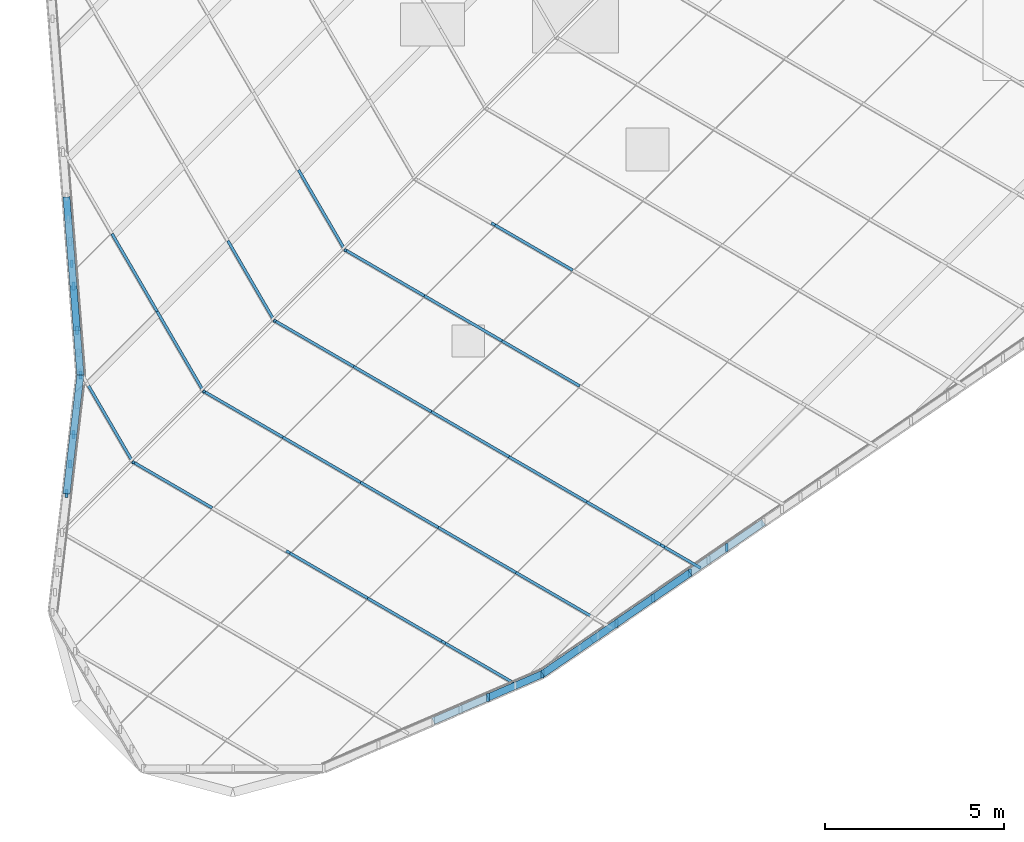
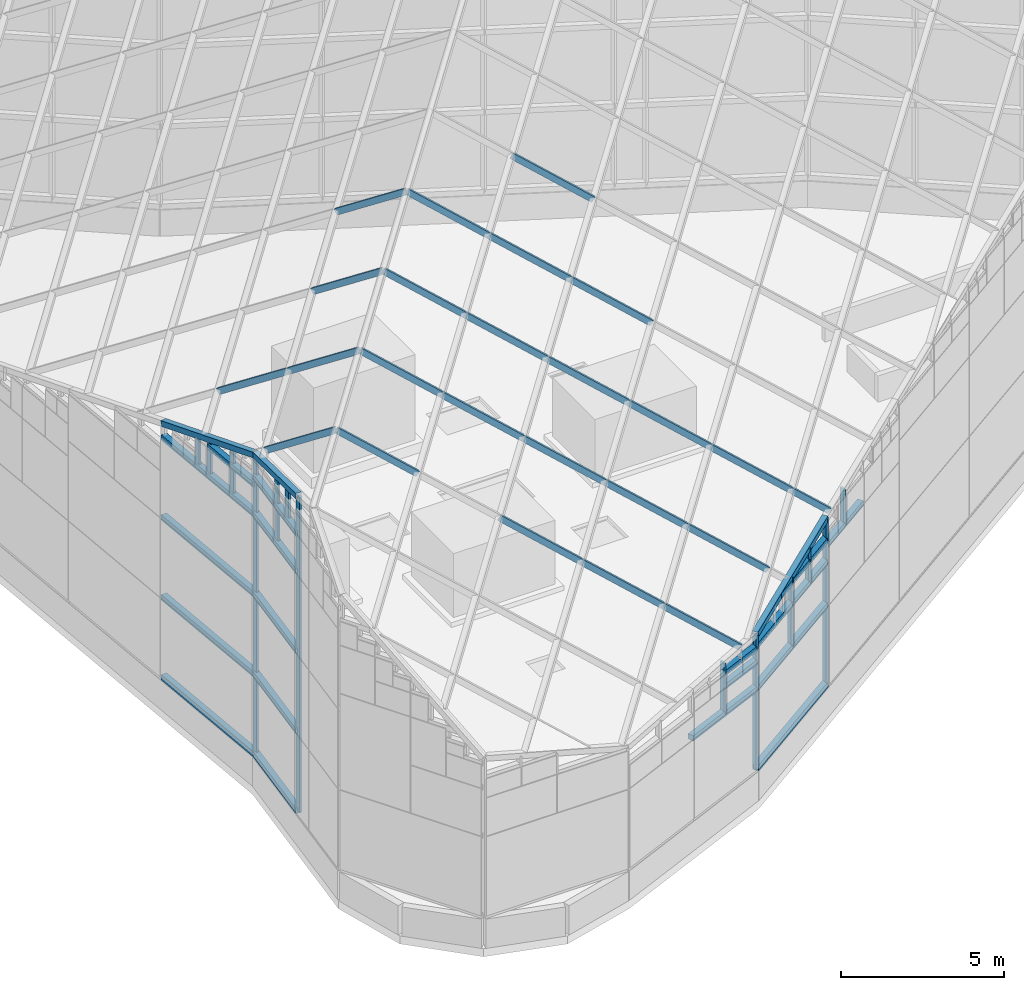
# One storey, part 2 of 29: 64 members, 1 element without a shape of its own.
"""IFC4 building model written with IfcOpenShell, lengths in metres."""

from ifc_helpers import new_model, si_unit, direction, frame, origin, origin_2d, place, context, subcontext, project, spatial, rectangle, extrude, material, material_profile, profile_set, type_object, element, aggregate, save


model = new_model("IFC4")

# Units and contexts
model_context = context("Model", 3, precision=1e-05, world=origin(), true_north=direction((0.0, 1.0)))
body_context = subcontext(model_context, "Body", "Model", "MODEL_VIEW")
ifc_project = project(units=[si_unit("LENGTHUNIT", "METRE"), si_unit("AREAUNIT", "SQUARE_METRE"), si_unit("VOLUMEUNIT", "CUBIC_METRE"), si_unit("PLANEANGLEUNIT", "RADIAN"), si_unit("MASSUNIT", "GRAM", prefix="KILO")], contexts=[model_context])

# Site, building, storey
site_placement = place(None, origin())
site = spatial("IfcSite", under=ifc_project, at=site_placement, CompositionType="ELEMENT")
building_placement = place(site_placement, origin())
building = spatial("IfcBuilding", under=site, at=building_placement, Name="Tanit Gate Tower", CompositionType="ELEMENT")
storey_placement = place(building_placement, frame((0.0, 0.0, 445.300048828125)))
storey = spatial("IfcBuildingStorey", under=building, at=storey_placement, Name="ROOF", CompositionType="ELEMENT", Elevation=445.300048828125)

# Curtain wall, members
ifc_material_1 = material(Name="Aluminium bronze anodised and glass", Category="aluminium")
curtain_wall_type = type_object("IfcCurtainWallType", Name="Curtain wall crown roof", PredefinedType="NOTDEFINED", material=ifc_material_1)
curtain_wall_placement = place(storey_placement, origin())
curtain_wall = element("IfcCurtainWall", 1, at=curtain_wall_placement, inside=storey, type_object=curtain_wall_type, Name="Crown lantern", PredefinedType="NOTDEFINED")
ifc_material_2 = material(Name="Aluminium bronze anodised", Category="aluminium")
ifc_material_profile_1 = material_profile(ifc_material_2, rectangle(XDim=0.080078125, YDim=0.219970703125, at=origin_2d()), Name="80x220 bronze rafter")
ifc_profile_set_1 = profile_set([ifc_material_profile_1], Name="Aluminium bronze anodised")
member_type_1 = type_object("IfcMemberType", Name="Mullion 80x220 crown roof", PredefinedType="MULLION", material=ifc_profile_set_1)
member_1_placement = place(storey_placement, frame((-13.83642578125, -9.955078125, 1.199951171875), z_axis=(0.0, 0.0, 1.0), x_axis=(1.0, 0.0, 0.0)))
member_1 = element("IfcMember", 2, at=member_1_placement, type_object=member_type_1, Name="Lantern mullion 18", PredefinedType="MULLION", context=body_context, shape_type="SweptSolid", body=[
    extrude(rectangle(XDim=0.080078125, YDim=0.219970703125, at=origin_2d()), origin(), (0.0, 0.0, 1.0), 11.2158203125),
])
member_2_placement = place(storey_placement, frame((-14.22412109375, -13.26708984375, 1.199951171875), z_axis=(0.0, 0.0, 1.0), x_axis=(1.0, 0.0, 0.0)))
member_2 = element("IfcMember", 3, at=member_2_placement, type_object=member_type_1, Name="Lantern mullion 19", PredefinedType="MULLION", context=body_context, shape_type="SweptSolid", body=[
    extrude(rectangle(XDim=0.080078125, YDim=0.219970703125, at=origin_2d()), origin(), (0.0, 0.0, 1.0), 11.806640625),
])
member_3_placement = place(storey_placement, frame((-0.922119140625, -18.3037109375, 1.199951171875), z_axis=(0.0, 0.0, 1.0), x_axis=(1.0, 0.0, 0.0)))
member_3 = element("IfcMember", 4, at=member_3_placement, type_object=member_type_1, Name="Lantern mullion 25", PredefinedType="MULLION", context=body_context, shape_type="SweptSolid", body=[
    extrude(rectangle(XDim=0.080078125, YDim=0.219970703125, at=origin_2d()), origin(), (0.0, 0.0, 1.0), 5.021728515625),
])
member_4_placement = place(storey_placement, frame((3.193359375, -15.47900390625, 1.199951171875), z_axis=(0.0, 0.0, 1.0), x_axis=(1.0, 0.0, 0.0)))
member_4 = element("IfcMember", 5, at=member_4_placement, type_object=member_type_1, Name="Lantern mullion 26", PredefinedType="MULLION", context=body_context, shape_type="SweptSolid", body=[
    extrude(rectangle(XDim=0.080078125, YDim=0.219970703125, at=origin_2d()), origin(), (0.0, 0.0, 1.0), 6.23046875),
])
member_5_placement = place(storey_placement, frame((-14.030517578125, -7.467041015625, 10.199951171875), z_axis=(0.0, 0.0, 1.0), x_axis=(1.0, 0.0, 0.0)))
member_5 = element("IfcMember", 6, at=member_5_placement, type_object=member_type_1, Name="Lantern clerestory bar 17.4.1", PredefinedType="MULLION", context=body_context, shape_type="SweptSolid", body=[
    extrude(rectangle(XDim=0.080078125, YDim=0.219970703125, at=origin_2d()), origin(), (0.0, 0.0, 1.0), 1.369140625),
])
member_6_placement = place(storey_placement, frame((-14.0791015625, -6.844970703125, 10.199951171875), z_axis=(0.0, 0.0, 1.0), x_axis=(1.0, 0.0, 0.0)))
member_6 = element("IfcMember", 7, at=member_6_placement, type_object=member_type_1, Name="Lantern clerestory bar 17.4.7", PredefinedType="MULLION", context=body_context, shape_type="SweptSolid", body=[
    extrude(rectangle(XDim=0.080078125, YDim=0.219970703125, at=origin_2d()), origin(), (0.0, 0.0, 1.0), 1.10791015625),
])
member_7_placement = place(storey_placement, frame((-13.93359375, -8.7109375, 10.199951171875), z_axis=(0.0, 0.0, 1.0), x_axis=(1.0, 0.0, 0.0)))
member_7 = element("IfcMember", 8, at=member_7_placement, type_object=member_type_1, Name="Lantern clerestory bar 17.4.9", PredefinedType="MULLION", context=body_context, shape_type="SweptSolid", body=[
    extrude(rectangle(XDim=0.080078125, YDim=0.219970703125, at=origin_2d()), origin(), (0.0, 0.0, 1.0), 1.79248046875),
])
member_8_placement = place(storey_placement, frame((-14.0302734375, -11.611083984375, 10.199951171875), z_axis=(0.0, 0.0, 1.0), x_axis=(1.0, 0.0, 0.0)))
member_8 = element("IfcMember", 9, at=member_8_placement, type_object=member_type_1, Name="Lantern clerestory bar 18.4.1", PredefinedType="MULLION", context=body_context, shape_type="SweptSolid", body=[
    extrude(rectangle(XDim=0.080078125, YDim=0.219970703125, at=origin_2d()), origin(), (0.0, 0.0, 1.0), 2.51123046875),
])
member_9_placement = place(storey_placement, frame((-14.127197265625, -12.439208984375, 11.603271484375), z_axis=(0.0, 0.0, 1.0), x_axis=(1.0, 0.0, 0.0)))
member_9 = element("IfcMember", 10, at=member_9_placement, type_object=member_type_1, Name="Lantern clerestory bar 18.4.7", PredefinedType="MULLION", context=body_context, shape_type="SweptSolid", body=[
    extrude(rectangle(XDim=0.080078125, YDim=0.219970703125, at=origin_2d()), origin(), (0.0, 0.0, 1.0), 1.255615234375),
])
member_10_placement = place(storey_placement, frame((-2.451171875, -18.962890625, 4.199951171875), z_axis=(0.0, 0.0, 1.0), x_axis=(1.0, 0.0, 0.0)))
member_10 = element("IfcMember", 11, at=member_10_placement, type_object=member_type_1, Name="Lantern clerestory bar 24.2.1", PredefinedType="MULLION", context=body_context, shape_type="SweptSolid", body=[
    extrude(rectangle(XDim=0.080078125, YDim=0.219970703125, at=origin_2d()), origin(), (0.0, 0.0, 1.0), 1.896240234375),
])
member_11_placement = place(storey_placement, frame((1.135498046875, -16.891357421875, 4.199951171875), z_axis=(0.0, 0.0, 1.0), x_axis=(1.0, 0.0, 0.0)))
member_11 = element("IfcMember", 12, at=member_11_placement, type_object=member_type_1, Name="Lantern clerestory bar 25.2.1", PredefinedType="MULLION", context=body_context, shape_type="SweptSolid", body=[
    extrude(rectangle(XDim=0.080078125, YDim=0.219970703125, at=origin_2d()), origin(), (0.0, 0.0, 1.0), 2.626220703125),
])
member_12_placement = place(storey_placement, frame((2.16455078125, -16.185302734375, 5.815185546875), z_axis=(0.0, 0.0, 1.0), x_axis=(1.0, 0.0, 0.0)))
member_12 = element("IfcMember", 13, at=member_12_placement, type_object=member_type_1, Name="Lantern clerestory bar 25.2.7", PredefinedType="MULLION", context=body_context, shape_type="SweptSolid", body=[
    extrude(rectangle(XDim=0.080078125, YDim=0.219970703125, at=origin_2d()), origin(), (0.0, 0.0, 1.0), 1.31298828125),
])
member_13_placement = place(storey_placement, frame((4.22216796875, -14.77294921875, 6.419677734375), z_axis=(0.0, 0.0, 1.0), x_axis=(1.0, 0.0, 0.0)))
member_13 = element("IfcMember", 14, at=member_13_placement, type_object=member_type_1, Name="Lantern clerestory bar 26.2.3", PredefinedType="MULLION", context=body_context, shape_type="SweptSolid", body=[
    extrude(rectangle(XDim=0.080078125, YDim=0.219970703125, at=origin_2d()), origin(), (0.0, 0.0, 1.0), 1.31298828125),
])
member_14_placement = place(storey_placement, frame((-12.3759765625, -12.3759765625, 14.2939453125), z_axis=(-0.420098879156, 0.723494582662, -0.547788755444), x_axis=(-0.864786221347, -0.502140210865, 0.0)))
member_14 = element("IfcMember", 15, at=member_14_placement, type_object=member_type_1, Name="Lantern rafter E2", PredefinedType="MULLION", context=body_context, shape_type="SweptSolid", body=[
    extrude(rectangle(XDim=0.080078125, YDim=0.219970703125, at=origin_2d()), origin(), (0.0, 0.0, 1.0), 3.0),
])
member_15_placement = place(storey_placement, frame((-10.400634765625, -10.400634765625, 15.387939453125), z_axis=(-0.420165895971, 0.723469846055, -0.547770026299), x_axis=(-0.864743978712, -0.502212954116, 0.0)))
member_15 = element("IfcMember", 16, at=member_15_placement, type_object=member_type_1, Name="Lantern rafter E3", PredefinedType="MULLION", context=body_context, shape_type="SweptSolid", body=[
    extrude(rectangle(XDim=0.080078125, YDim=0.219970703125, at=origin_2d()), origin(), (0.0, 0.0, 1.0), 3.0),
])
member_16_placement = place(storey_placement, frame((-11.6611328125, -8.230224609375, 13.74462890625), z_axis=(-0.420098879156, 0.723494582662, -0.547788755444), x_axis=(-0.864786221347, -0.502140210865, 0.0)))
member_16 = element("IfcMember", 17, at=member_16_placement, type_object=member_type_1, Name="Lantern rafter E3", PredefinedType="MULLION", context=body_context, shape_type="SweptSolid", body=[
    extrude(rectangle(XDim=0.080078125, YDim=0.219970703125, at=origin_2d()), origin(), (0.0, 0.0, 1.0), 3.0),
])
member_17_placement = place(storey_placement, frame((-8.425537109375, -8.425537109375, 16.48193359375), z_axis=(-0.420074144471, 0.723533362745, -0.547756502602), x_axis=(-0.864810745962, -0.502097972181, 0.0)))
member_17 = element("IfcMember", 18, at=member_17_placement, type_object=member_type_1, Name="Lantern rafter E4", PredefinedType="MULLION", context=body_context, shape_type="SweptSolid", body=[
    extrude(rectangle(XDim=0.080078125, YDim=0.219970703125, at=origin_2d()), origin(), (0.0, 0.0, 1.0), 3.0),
])
member_18_placement = place(storey_placement, frame((-6.4501953125, -6.4501953125, 17.575927734375), z_axis=(-0.420098879156, 0.723494582662, -0.547788755444), x_axis=(-0.864786221347, -0.502140210865, 0.0)))
member_18 = element("IfcMember", 19, at=member_18_placement, type_object=member_type_1, Name="Lantern rafter E5", PredefinedType="MULLION", context=body_context, shape_type="SweptSolid", body=[
    extrude(rectangle(XDim=0.080078125, YDim=0.219970703125, at=origin_2d()), origin(), (0.0, 0.0, 1.0), 3.0),
])
member_19_placement = place(storey_placement, frame((-12.3759765625, -12.3759765625, 14.2939453125), z_axis=(0.723494582662, -0.420098879156, -0.547788755444), x_axis=(0.502140210865, 0.864786221347, 0.0)))
member_19 = element("IfcMember", 20, at=member_19_placement, type_object=member_type_1, Name="Lantern rafter W4", PredefinedType="MULLION", context=body_context, shape_type="SweptSolid", body=[
    extrude(rectangle(XDim=0.080078125, YDim=0.219970703125, at=origin_2d()), origin(), (0.0, 0.0, 1.0), 3.0),
])
member_20_placement = place(storey_placement, frame((-8.034912109375, -14.896728515625, 11.00732421875), z_axis=(0.723494582662, -0.420098879156, -0.547788755444), x_axis=(0.502140210865, 0.864786221347, 0.0)))
member_20 = element("IfcMember", 21, at=member_20_placement, type_object=member_type_1, Name="Lantern rafter W4", PredefinedType="MULLION", context=body_context, shape_type="SweptSolid", body=[
    extrude(rectangle(XDim=0.080078125, YDim=0.219970703125, at=origin_2d()), origin(), (0.0, 0.0, 1.0), 3.0),
])
member_21_placement = place(storey_placement, frame((-5.864501953125, -16.156982421875, 9.364013671875), z_axis=(0.723494582662, -0.420098879156, -0.547788755444), x_axis=(0.502140210865, 0.864786221347, 0.0)))
member_21 = element("IfcMember", 22, at=member_21_placement, type_object=member_type_1, Name="Lantern rafter W4", PredefinedType="MULLION", context=body_context, shape_type="SweptSolid", body=[
    extrude(rectangle(XDim=0.080078125, YDim=0.219970703125, at=origin_2d()), origin(), (0.0, 0.0, 1.0), 3.0),
])
member_22_placement = place(storey_placement, frame((-3.694091796875, -17.417236328125, 7.720703125), z_axis=(0.723513772598, -0.42009646248, -0.547765262748), x_axis=(0.502128090271, 0.864793259086, 0.0)))
member_22 = element("IfcMember", 23, at=member_22_placement, type_object=member_type_1, Name="Lantern rafter W4", PredefinedType="MULLION", context=body_context, shape_type="SweptSolid", body=[
    extrude(rectangle(XDim=0.080078125, YDim=0.219970703125, at=origin_2d()), origin(), (0.0, 0.0, 1.0), 2.843505859375),
])
member_23_placement = place(storey_placement, frame((-10.400634765625, -10.400634765625, 15.387939453125), z_axis=(0.723469846055, -0.420165895971, -0.547770026299), x_axis=(0.502212954116, 0.864743978712, 0.0)))
member_23 = element("IfcMember", 24, at=member_23_placement, type_object=member_type_1, Name="Lantern rafter W5", PredefinedType="MULLION", context=body_context, shape_type="SweptSolid", body=[
    extrude(rectangle(XDim=0.080078125, YDim=0.219970703125, at=origin_2d()), origin(), (0.0, 0.0, 1.0), 3.0),
])
member_24_placement = place(storey_placement, frame((-8.230224609375, -11.6611328125, 13.74462890625), z_axis=(0.723494582662, -0.420098879156, -0.547788755444), x_axis=(0.502140210865, 0.864786221347, 0.0)))
member_24 = element("IfcMember", 25, at=member_24_placement, type_object=member_type_1, Name="Lantern rafter W5", PredefinedType="MULLION", context=body_context, shape_type="SweptSolid", body=[
    extrude(rectangle(XDim=0.080078125, YDim=0.219970703125, at=origin_2d()), origin(), (0.0, 0.0, 1.0), 3.0),
])
member_25_placement = place(storey_placement, frame((-6.059814453125, -12.92138671875, 12.101318359375), z_axis=(0.723533362745, -0.420074144471, -0.547756502602), x_axis=(0.502097972181, 0.864810745962, 0.0)))
member_25 = element("IfcMember", 26, at=member_25_placement, type_object=member_type_1, Name="Lantern rafter W5", PredefinedType="MULLION", context=body_context, shape_type="SweptSolid", body=[
    extrude(rectangle(XDim=0.080078125, YDim=0.219970703125, at=origin_2d()), origin(), (0.0, 0.0, 1.0), 3.0),
])
member_26_placement = place(storey_placement, frame((-3.88916015625, -14.181640625, 10.4580078125), z_axis=(0.723469846055, -0.420165895971, -0.547770026299), x_axis=(0.502212954116, 0.864743978712, 0.0)))
member_26 = element("IfcMember", 27, at=member_26_placement, type_object=member_type_1, Name="Lantern rafter W5", PredefinedType="MULLION", context=body_context, shape_type="SweptSolid", body=[
    extrude(rectangle(XDim=0.080078125, YDim=0.219970703125, at=origin_2d()), origin(), (0.0, 0.0, 1.0), 3.0),
])
member_27_placement = place(storey_placement, frame((-1.71875, -15.442138671875, 8.814697265625), z_axis=(0.723494582662, -0.420098879156, -0.547788755444), x_axis=(0.502140210865, 0.864786221347, 0.0)))
member_27 = element("IfcMember", 28, at=member_27_placement, type_object=member_type_1, Name="Lantern rafter W5", PredefinedType="MULLION", context=body_context, shape_type="SweptSolid", body=[
    extrude(rectangle(XDim=0.080078125, YDim=0.219970703125, at=origin_2d()), origin(), (0.0, 0.0, 1.0), 3.0),
])
member_28_placement = place(storey_placement, frame((-8.425537109375, -8.425537109375, 16.48193359375), z_axis=(0.723533362745, -0.420074144471, -0.547756502602), x_axis=(0.502097972181, 0.864810745962, 0.0)))
member_28 = element("IfcMember", 29, at=member_28_placement, type_object=member_type_1, Name="Lantern rafter W6", PredefinedType="MULLION", context=body_context, shape_type="SweptSolid", body=[
    extrude(rectangle(XDim=0.080078125, YDim=0.219970703125, at=origin_2d()), origin(), (0.0, 0.0, 1.0), 3.0),
])
member_29_placement = place(storey_placement, frame((-6.2548828125, -9.685791015625, 14.838623046875), z_axis=(0.723494582662, -0.420098879156, -0.547788755444), x_axis=(0.502140210865, 0.864786221347, 0.0)))
member_29 = element("IfcMember", 30, at=member_29_placement, type_object=member_type_1, Name="Lantern rafter W6", PredefinedType="MULLION", context=body_context, shape_type="SweptSolid", body=[
    extrude(rectangle(XDim=0.080078125, YDim=0.219970703125, at=origin_2d()), origin(), (0.0, 0.0, 1.0), 3.0),
])
member_30_placement = place(storey_placement, frame((-4.08447265625, -10.946044921875, 13.1953125), z_axis=(0.723469846055, -0.420165895971, -0.547770026299), x_axis=(0.502212954116, 0.864743978712, 0.0)))
member_30 = element("IfcMember", 31, at=member_30_placement, type_object=member_type_1, Name="Lantern rafter W6", PredefinedType="MULLION", context=body_context, shape_type="SweptSolid", body=[
    extrude(rectangle(XDim=0.080078125, YDim=0.219970703125, at=origin_2d()), origin(), (0.0, 0.0, 1.0), 3.0),
])
member_31_placement = place(storey_placement, frame((-1.9140625, -12.20654296875, 11.552001953125), z_axis=(0.723533362745, -0.420074144471, -0.547756502602), x_axis=(0.502097972181, 0.864810745962, 0.0)))
member_31 = element("IfcMember", 32, at=member_31_placement, type_object=member_type_1, Name="Lantern rafter W6", PredefinedType="MULLION", context=body_context, shape_type="SweptSolid", body=[
    extrude(rectangle(XDim=0.080078125, YDim=0.219970703125, at=origin_2d()), origin(), (0.0, 0.0, 1.0), 3.0),
])
member_32_placement = place(storey_placement, frame((0.256591796875, -13.466796875, 9.90869140625), z_axis=(0.723494582662, -0.420098879156, -0.547788755444), x_axis=(0.502140210865, 0.864786221347, 0.0)))
member_32 = element("IfcMember", 33, at=member_32_placement, type_object=member_type_1, Name="Lantern rafter W6", PredefinedType="MULLION", context=body_context, shape_type="SweptSolid", body=[
    extrude(rectangle(XDim=0.080078125, YDim=0.219970703125, at=origin_2d()), origin(), (0.0, 0.0, 1.0), 3.0),
])
member_33_placement = place(storey_placement, frame((2.427001953125, -14.72705078125, 8.265380859375), z_axis=(0.723460433609, -0.420135942926, -0.54780543121), x_axis=(0.502191067108, 0.864756689547, 0.0)))
member_33 = element("IfcMember", 34, at=member_33_placement, type_object=member_type_1, Name="Lantern rafter W6", PredefinedType="MULLION", context=body_context, shape_type="SweptSolid", body=[
    extrude(rectangle(XDim=0.080078125, YDim=0.219970703125, at=origin_2d()), origin(), (0.0, 0.0, 1.0), 1.39404296875),
])
member_34_placement = place(storey_placement, frame((-6.4501953125, -6.4501953125, 17.575927734375), z_axis=(0.723494582662, -0.420098879156, -0.547788755444), x_axis=(0.502140210865, 0.864786221347, 0.0)))
member_34 = element("IfcMember", 35, at=member_34_placement, type_object=member_type_1, Name="Lantern rafter W7", PredefinedType="MULLION", context=body_context, shape_type="SweptSolid", body=[
    extrude(rectangle(XDim=0.080078125, YDim=0.219970703125, at=origin_2d()), origin(), (0.0, 0.0, 1.0), 3.0),
])
member_35_placement = place(storey_placement, frame((-4.27978515625, -7.71044921875, 15.9326171875), z_axis=(0.723508627725, -0.420141159031, -0.547737776765), x_axis=(0.502170713438, 0.864768509235, 0.0)))
member_35 = element("IfcMember", 36, at=member_35_placement, type_object=member_type_1, Name="Lantern rafter W7", PredefinedType="MULLION", context=body_context, shape_type="SweptSolid", body=[
    extrude(rectangle(XDim=0.080078125, YDim=0.219970703125, at=origin_2d()), origin(), (0.0, 0.0, 1.0), 3.000244140625),
])
member_36_placement = place(storey_placement, frame((-2.109130859375, -8.970947265625, 14.289306640625), z_axis=(0.723494582662, -0.420098879156, -0.547788755444), x_axis=(0.502140210865, 0.864786221347, 0.0)))
member_36 = element("IfcMember", 37, at=member_36_placement, type_object=member_type_1, Name="Lantern rafter W7", PredefinedType="MULLION", context=body_context, shape_type="SweptSolid", body=[
    extrude(rectangle(XDim=0.080078125, YDim=0.219970703125, at=origin_2d()), origin(), (0.0, 0.0, 1.0), 3.0),
])
member_37_placement = place(storey_placement, frame((-2.304443359375, -5.7353515625, 17.026611328125), z_axis=(0.723494582662, -0.420098879156, -0.547788755444), x_axis=(0.502140210865, 0.864786221347, 0.0)))
member_37 = element("IfcMember", 38, at=member_37_placement, type_object=member_type_1, Name="Lantern rafter W8", PredefinedType="MULLION", context=body_context, shape_type="SweptSolid", body=[
    extrude(rectangle(XDim=0.080078125, YDim=0.219970703125, at=origin_2d()), origin(), (0.0, 0.0, 1.0), 3.0),
])
ifc_material_3 = material(Name="Aluminium bronze anodised", Category="aluminium")
ifc_material_profile_2 = material_profile(ifc_material_3, rectangle(XDim=0.199951171875, YDim=0.199951171875, at=origin_2d()), Name="200x200 bronze transom")
ifc_profile_set_2 = profile_set([ifc_material_profile_2], Name="Aluminium bronze anodised")
member_type_2 = type_object("IfcMemberType", Name="Transom 200x200 crown roof", PredefinedType="USERDEFINED", material=ifc_profile_set_2)
member_38_placement = place(storey_placement, frame((-14.224853515625, -4.978759765625, 1.199951171875), z_axis=(0.077818542659, -0.9969675393, 0.0), x_axis=(0.9969675393, 0.077818542659, 0.0)))
member_38 = element("IfcMember", 39, at=member_38_placement, type_object=member_type_2, Name="Lantern eave beam 17", ObjectType="TRANSOM", PredefinedType="USERDEFINED", context=body_context, shape_type="SweptSolid", body=[
    extrude(rectangle(XDim=0.199951171875, YDim=0.199951171875, at=origin_2d()), origin(), (0.0, 0.0, 1.0), 4.991455078125),
])
member_39_placement = place(storey_placement, frame((-14.224853515625, -4.978759765625, 10.722412109375), z_axis=(0.073693265624, -0.94411680278, 0.321267435808), x_axis=(0.9969675393, 0.077818542659, 0.0)))
member_39 = element("IfcMember", 40, at=member_39_placement, type_object=member_type_2, Name="Lantern edge beam 17", ObjectType="TRANSOM", PredefinedType="USERDEFINED", context=body_context, shape_type="SweptSolid", body=[
    extrude(rectangle(XDim=0.199951171875, YDim=0.199951171875, at=origin_2d()), origin(), (0.0, 0.0, 1.0), 5.270751953125),
])
member_40_placement = place(storey_placement, frame((-13.83642578125, -9.955078125, 1.199951171875), z_axis=(-0.116263513451, -0.993218402689, 0.0), x_axis=(0.993218402689, -0.116263513451, 0.0)))
member_40 = element("IfcMember", 41, at=member_40_placement, type_object=member_type_2, Name="Lantern eave beam 18", ObjectType="TRANSOM", PredefinedType="USERDEFINED", context=body_context, shape_type="SweptSolid", body=[
    extrude(rectangle(XDim=0.199951171875, YDim=0.199951171875, at=origin_2d()), origin(), (0.0, 0.0, 1.0), 3.334716796875),
])
member_41_placement = place(storey_placement, frame((-13.83642578125, -9.955078125, 12.415771484375), z_axis=(-0.114480521681, -0.977986622873, 0.174460240849), x_axis=(0.993218402689, -0.116263513451, 0.0)))
member_41 = element("IfcMember", 42, at=member_41_placement, type_object=member_type_2, Name="Lantern edge beam 18", ObjectType="TRANSOM", PredefinedType="USERDEFINED", context=body_context, shape_type="SweptSolid", body=[
    extrude(rectangle(XDim=0.199951171875, YDim=0.199951171875, at=origin_2d()), origin(), (0.0, 0.0, 1.0), 3.386474609375),
])
member_42_placement = place(storey_placement, frame((-0.922119140625, -18.3037109375, 1.199951171875), z_axis=(0.824479794121, 0.565891393367, 0.0), x_axis=(-0.565891393367, 0.824479794121, 0.0)))
member_42 = element("IfcMember", 43, at=member_42_placement, type_object=member_type_2, Name="Lantern eave beam 25", ObjectType="TRANSOM", PredefinedType="USERDEFINED", context=body_context, shape_type="SweptSolid", body=[
    extrude(rectangle(XDim=0.199951171875, YDim=0.199951171875, at=origin_2d()), origin(), (0.0, 0.0, 1.0), 4.99169921875),
])
member_43_placement = place(storey_placement, frame((-0.922119140625, -18.3037109375, 6.2216796875), z_axis=(0.801320229013, 0.549995553757, 0.235352462113), x_axis=(-0.565891393367, 0.824479794121, 0.0)))
member_43 = element("IfcMember", 44, at=member_43_placement, type_object=member_type_2, Name="Lantern edge beam 25", ObjectType="TRANSOM", PredefinedType="USERDEFINED", context=body_context, shape_type="SweptSolid", body=[
    extrude(rectangle(XDim=0.199951171875, YDim=0.199951171875, at=origin_2d()), origin(), (0.0, 0.0, 1.0), 5.135986328125),
])
member_44_placement = place(storey_placement, frame((-14.224853515625, -4.978759765625, 4.199951171875), z_axis=(0.077818542659, -0.9969675393, 0.0), x_axis=(0.9969675393, 0.077818542659, 0.0)))
member_44 = element("IfcMember", 45, at=member_44_placement, type_object=member_type_2, Name="Lantern clerestory transom 17.1", ObjectType="TRANSOM", PredefinedType="USERDEFINED", context=body_context, shape_type="SweptSolid", body=[
    extrude(rectangle(XDim=0.199951171875, YDim=0.199951171875, at=origin_2d()), origin(), (0.0, 0.0, 1.0), 4.991455078125),
])
member_45_placement = place(storey_placement, frame((-14.224853515625, -4.978759765625, 7.199951171875), z_axis=(0.077818542659, -0.9969675393, 0.0), x_axis=(0.9969675393, 0.077818542659, 0.0)))
member_45 = element("IfcMember", 46, at=member_45_placement, type_object=member_type_2, Name="Lantern clerestory transom 17.2", ObjectType="TRANSOM", PredefinedType="USERDEFINED", context=body_context, shape_type="SweptSolid", body=[
    extrude(rectangle(XDim=0.199951171875, YDim=0.199951171875, at=origin_2d()), origin(), (0.0, 0.0, 1.0), 4.991455078125),
])
member_46_placement = place(storey_placement, frame((-14.224853515625, -4.978759765625, 10.199951171875), z_axis=(0.077818542659, -0.9969675393, 0.0), x_axis=(0.9969675393, 0.077818542659, 0.0)))
member_46 = element("IfcMember", 47, at=member_46_placement, type_object=member_type_2, Name="Lantern clerestory transom 17.3", ObjectType="TRANSOM", PredefinedType="USERDEFINED", context=body_context, shape_type="SweptSolid", body=[
    extrude(rectangle(XDim=0.199951171875, YDim=0.199951171875, at=origin_2d()), origin(), (0.0, 0.0, 1.0), 4.991455078125),
])
member_47_placement = place(storey_placement, frame((-14.030517578125, -7.467041015625, 11.307861328125), z_axis=(0.077684058267, -0.996978027386, 0.0), x_axis=(0.996978027386, 0.077684058267, 0.0)))
member_47 = element("IfcMember", 48, at=member_47_placement, type_object=member_type_2, Name="Lantern clerestory bar 17.4.10", ObjectType="TRANSOM", PredefinedType="USERDEFINED", context=body_context, shape_type="SweptSolid", body=[
    extrude(rectangle(XDim=0.199951171875, YDim=0.199951171875, at=origin_2d()), origin(), (0.0, 0.0, 1.0), 1.24755859375),
])
member_48_placement = place(storey_placement, frame((-13.93359375, -8.7109375, 11.307861328125), z_axis=(0.07786336105, -0.996964039976, 0.0), x_axis=(0.996964039976, 0.07786336105, 0.0)))
member_48 = element("IfcMember", 49, at=member_48_placement, type_object=member_type_2, Name="Lantern clerestory bar 17.4.11", ObjectType="TRANSOM", PredefinedType="USERDEFINED", context=body_context, shape_type="SweptSolid", body=[
    extrude(rectangle(XDim=0.199951171875, YDim=0.199951171875, at=origin_2d()), origin(), (0.0, 0.0, 1.0), 1.248046875),
])
member_49_placement = place(storey_placement, frame((-13.83642578125, -9.955078125, 4.199951171875), z_axis=(-0.116263513451, -0.993218402689, 0.0), x_axis=(0.993218402689, -0.116263513451, 0.0)))
member_49 = element("IfcMember", 50, at=member_49_placement, type_object=member_type_2, Name="Lantern clerestory transom 18.1", ObjectType="TRANSOM", PredefinedType="USERDEFINED", context=body_context, shape_type="SweptSolid", body=[
    extrude(rectangle(XDim=0.199951171875, YDim=0.199951171875, at=origin_2d()), origin(), (0.0, 0.0, 1.0), 3.334716796875),
])
member_50_placement = place(storey_placement, frame((-13.83642578125, -9.955078125, 7.199951171875), z_axis=(-0.116263513451, -0.993218402689, 0.0), x_axis=(0.993218402689, -0.116263513451, 0.0)))
member_50 = element("IfcMember", 51, at=member_50_placement, type_object=member_type_2, Name="Lantern clerestory transom 18.2", ObjectType="TRANSOM", PredefinedType="USERDEFINED", context=body_context, shape_type="SweptSolid", body=[
    extrude(rectangle(XDim=0.199951171875, YDim=0.199951171875, at=origin_2d()), origin(), (0.0, 0.0, 1.0), 3.334716796875),
])
member_51_placement = place(storey_placement, frame((-13.83642578125, -9.955078125, 10.199951171875), z_axis=(-0.116263513451, -0.993218402689, 0.0), x_axis=(0.993218402689, -0.116263513451, 0.0)))
member_51 = element("IfcMember", 52, at=member_51_placement, type_object=member_type_2, Name="Lantern clerestory transom 18.3", ObjectType="TRANSOM", PredefinedType="USERDEFINED", context=body_context, shape_type="SweptSolid", body=[
    extrude(rectangle(XDim=0.199951171875, YDim=0.199951171875, at=origin_2d()), origin(), (0.0, 0.0, 1.0), 3.334716796875),
])
member_52_placement = place(storey_placement, frame((-13.83642578125, -9.955078125, 11.603271484375), z_axis=(-0.116263513451, -0.993218402689, 0.0), x_axis=(0.993218402689, -0.116263513451, 0.0)))
member_52 = element("IfcMember", 53, at=member_52_placement, type_object=member_type_2, Name="Lantern clerestory bar 18.4.2", ObjectType="TRANSOM", PredefinedType="USERDEFINED", context=body_context, shape_type="SweptSolid", body=[
    extrude(rectangle(XDim=0.199951171875, YDim=0.199951171875, at=origin_2d()), origin(), (0.0, 0.0, 1.0), 1.667236328125),
])
member_53_placement = place(storey_placement, frame((-14.0302734375, -11.611083984375, 11.603271484375), z_axis=(-0.116263513451, -0.993218402689, 0.0), x_axis=(0.993218402689, -0.116263513451, 0.0)))
member_53 = element("IfcMember", 54, at=member_53_placement, type_object=member_type_2, Name="Lantern clerestory bar 18.4.6", ObjectType="TRANSOM", PredefinedType="USERDEFINED", context=body_context, shape_type="SweptSolid", body=[
    extrude(rectangle(XDim=0.199951171875, YDim=0.199951171875, at=origin_2d()), origin(), (0.0, 0.0, 1.0), 1.667236328125),
])
member_54_placement = place(storey_placement, frame((-3.980224609375, -19.6220703125, 4.199951171875), z_axis=(0.918301111769, 0.395882644384, 0.0), x_axis=(-0.395882644384, 0.918301111769, 0.0)))
member_54 = element("IfcMember", 55, at=member_54_placement, type_object=member_type_2, Name="Lantern clerestory transom 24.1", ObjectType="TRANSOM", PredefinedType="USERDEFINED", context=body_context, shape_type="SweptSolid", body=[
    extrude(rectangle(XDim=0.199951171875, YDim=0.199951171875, at=origin_2d()), origin(), (0.0, 0.0, 1.0), 3.330078125),
])
member_55_placement = place(storey_placement, frame((-2.451171875, -18.962890625, 5.210693359375), z_axis=(0.918301111769, 0.395882644384, 0.0), x_axis=(-0.395882644384, 0.918301111769, 0.0)))
member_55 = element("IfcMember", 56, at=member_55_placement, type_object=member_type_2, Name="Lantern clerestory bar 24.2.6", ObjectType="TRANSOM", PredefinedType="USERDEFINED", context=body_context, shape_type="SweptSolid", body=[
    extrude(rectangle(XDim=0.199951171875, YDim=0.199951171875, at=origin_2d()), origin(), (0.0, 0.0, 1.0), 1.6650390625),
])
member_56_placement = place(storey_placement, frame((-2.451171875, -18.962890625, 5.71630859375), z_axis=(0.918324086367, 0.395829347572, 0.0), x_axis=(-0.395829347572, 0.918324086367, 0.0)))
member_56 = element("IfcMember", 57, at=member_56_placement, type_object=member_type_2, Name="Lantern clerestory bar 24.2.8", ObjectType="TRANSOM", PredefinedType="USERDEFINED", context=body_context, shape_type="SweptSolid", body=[
    extrude(rectangle(XDim=0.199951171875, YDim=0.199951171875, at=origin_2d()), origin(), (0.0, 0.0, 1.0), 0.832763671875),
])
member_57_placement = place(storey_placement, frame((-1.6865234375, -18.63330078125, 5.71630859375), z_axis=(0.918278127889, 0.395935954216, 0.0), x_axis=(-0.395935954216, 0.918278127889, 0.0)))
member_57 = element("IfcMember", 58, at=member_57_placement, type_object=member_type_2, Name="Lantern clerestory bar 24.2.9", ObjectType="TRANSOM", PredefinedType="USERDEFINED", context=body_context, shape_type="SweptSolid", body=[
    extrude(rectangle(XDim=0.199951171875, YDim=0.199951171875, at=origin_2d()), origin(), (0.0, 0.0, 1.0), 0.83251953125),
])
member_58_placement = place(storey_placement, frame((-0.922119140625, -18.3037109375, 4.199951171875), z_axis=(0.824479794121, 0.565891393367, 0.0), x_axis=(-0.565891393367, 0.824479794121, 0.0)))
member_58 = element("IfcMember", 59, at=member_58_placement, type_object=member_type_2, Name="Lantern clerestory transom 25.1", ObjectType="TRANSOM", PredefinedType="USERDEFINED", context=body_context, shape_type="SweptSolid", body=[
    extrude(rectangle(XDim=0.199951171875, YDim=0.199951171875, at=origin_2d()), origin(), (0.0, 0.0, 1.0), 4.99169921875),
])
member_59_placement = place(storey_placement, frame((-0.922119140625, -18.3037109375, 5.815185546875), z_axis=(0.8244641305, 0.565914213923, 0.0), x_axis=(-0.565914213923, 0.8244641305, 0.0)))
member_59 = element("IfcMember", 60, at=member_59_placement, type_object=member_type_2, Name="Lantern clerestory bar 25.2.2", ObjectType="TRANSOM", PredefinedType="USERDEFINED", context=body_context, shape_type="SweptSolid", body=[
    extrude(rectangle(XDim=0.199951171875, YDim=0.199951171875, at=origin_2d()), origin(), (0.0, 0.0, 1.0), 2.49560546875),
])
member_60_placement = place(storey_placement, frame((0.443603515625, -17.366455078125, 6.622802734375), z_axis=(0.824364308897, 0.56605961366, 0.0), x_axis=(-0.56605961366, 0.824364308897, 0.0)))
member_60 = element("IfcMember", 61, at=member_60_placement, type_object=member_type_2, Name="Lantern clerestory bar 25.2.4", ObjectType="TRANSOM", PredefinedType="USERDEFINED", context=body_context, shape_type="SweptSolid", body=[
    extrude(rectangle(XDim=0.199951171875, YDim=0.199951171875, at=origin_2d()), origin(), (0.0, 0.0, 1.0), 0.83935546875),
])
member_61_placement = place(storey_placement, frame((1.135498046875, -16.891357421875, 5.815185546875), z_axis=(0.824495455848, 0.565868574217, 0.0), x_axis=(-0.565868574217, 0.824495455848, 0.0)))
member_61 = element("IfcMember", 62, at=member_61_placement, type_object=member_type_2, Name="Lantern clerestory bar 25.2.6", ObjectType="TRANSOM", PredefinedType="USERDEFINED", context=body_context, shape_type="SweptSolid", body=[
    extrude(rectangle(XDim=0.199951171875, YDim=0.199951171875, at=origin_2d()), origin(), (0.0, 0.0, 1.0), 2.495849609375),
])
member_62_placement = place(storey_placement, frame((1.135498046875, -16.891357421875, 6.622802734375), z_axis=(0.824572404725, 0.565756439968, 0.0), x_axis=(-0.565756439968, 0.824572404725, 0.0)))
member_62 = element("IfcMember", 63, at=member_62_placement, type_object=member_type_2, Name="Lantern clerestory bar 25.2.8", ObjectType="TRANSOM", PredefinedType="USERDEFINED", context=body_context, shape_type="SweptSolid", body=[
    extrude(rectangle(XDim=0.199951171875, YDim=0.199951171875, at=origin_2d()), origin(), (0.0, 0.0, 1.0), 1.248046875),
])
member_63_placement = place(storey_placement, frame((2.16455078125, -16.185302734375, 6.622802734375), z_axis=(0.824418487826, 0.565980703674, 0.0), x_axis=(-0.565980703674, 0.824418487826, 0.0)))
member_63 = element("IfcMember", 64, at=member_63_placement, type_object=member_type_2, Name="Lantern clerestory bar 25.2.9", ObjectType="TRANSOM", PredefinedType="USERDEFINED", context=body_context, shape_type="SweptSolid", body=[
    extrude(rectangle(XDim=0.199951171875, YDim=0.199951171875, at=origin_2d()), origin(), (0.0, 0.0, 1.0), 1.247802734375),
])
member_64_placement = place(storey_placement, frame((3.193359375, -15.47900390625, 6.419677734375), z_axis=(0.824509772864, 0.565847713128, 0.0), x_axis=(-0.565847713128, 0.824509772864, 0.0)))
member_64 = element("IfcMember", 65, at=member_64_placement, type_object=member_type_2, Name="Lantern clerestory bar 26.2.2", ObjectType="TRANSOM", PredefinedType="USERDEFINED", context=body_context, shape_type="SweptSolid", body=[
    extrude(rectangle(XDim=0.199951171875, YDim=0.199951171875, at=origin_2d()), origin(), (0.0, 0.0, 1.0), 2.49560546875),
])
aggregate(curtain_wall, [member_38, member_39, member_1, member_40, member_41, member_2, member_3, member_42, member_43, member_4, member_44, member_45, member_46, member_5, member_6, member_7, member_47, member_48, member_49, member_50, member_51, member_8, member_52, member_53, member_9, member_54, member_10, member_55, member_56, member_57, member_58, member_11, member_59, member_60, member_61, member_12, member_62, member_63, member_64, member_13, member_14, member_15, member_16, member_17, member_18, member_19, member_20, member_21, member_22, member_23, member_24, member_25, member_26, member_27, member_28, member_29, member_30, member_31, member_32, member_33, member_34, member_35, member_36, member_37])

save(model, "model.ifc")
